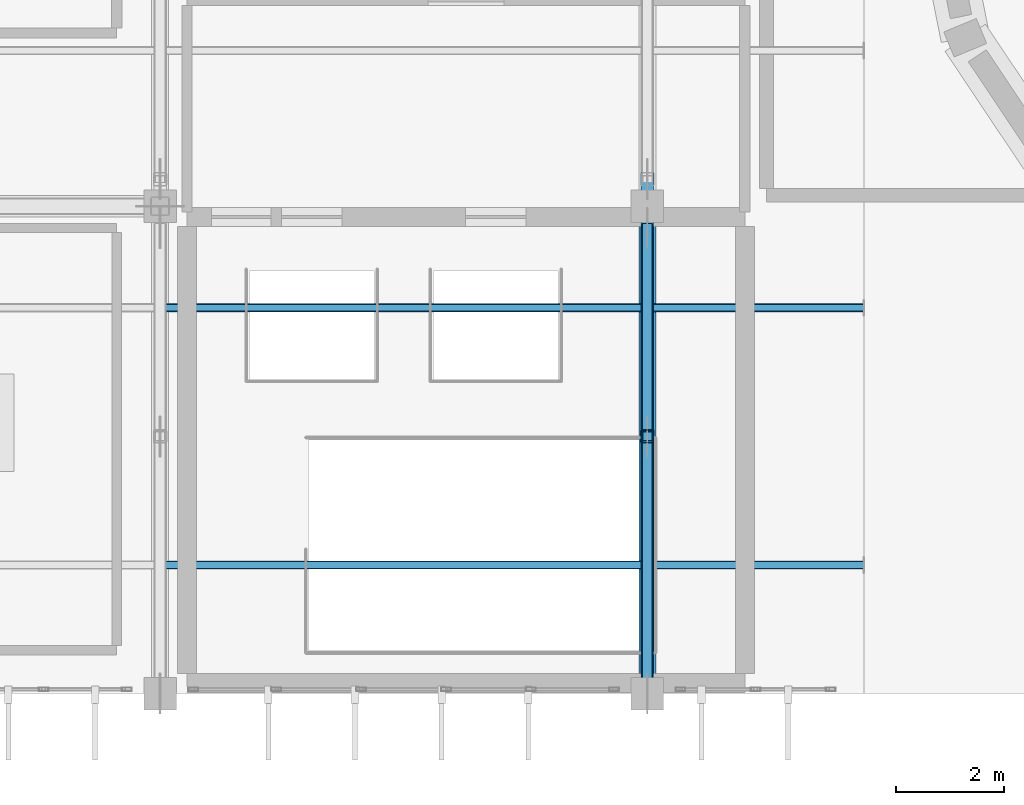
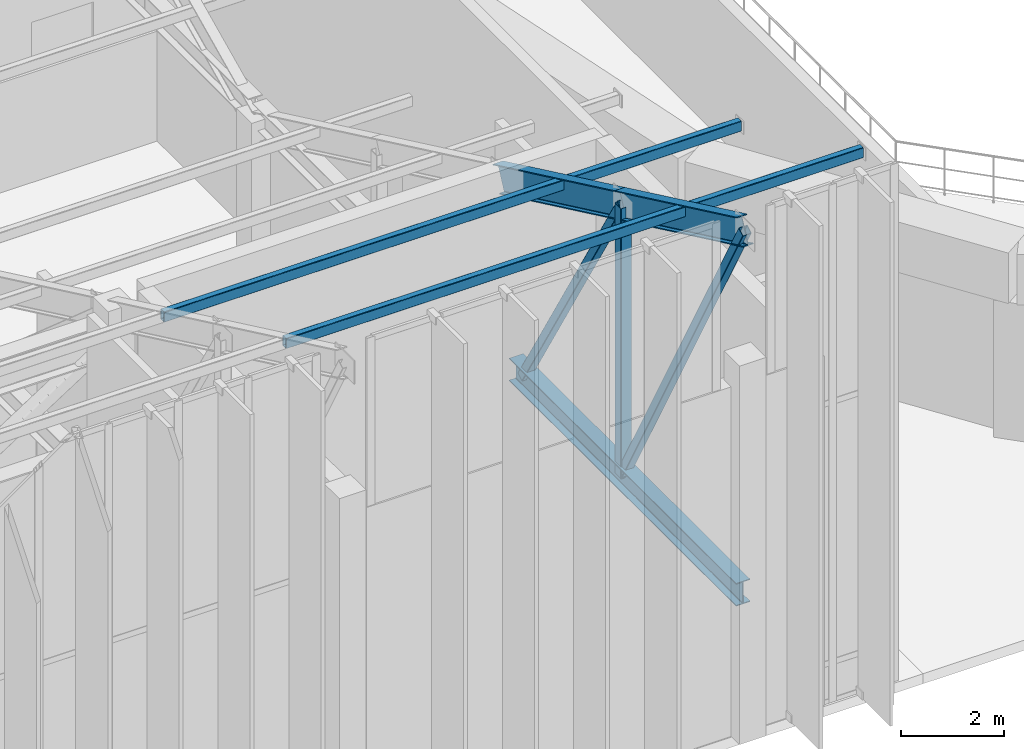
# One storey, part 24 of 68: 5 members, 3 beams.
"""IFC4 building model written with IfcOpenShell, lengths in metres."""

from ifc_helpers import new_model, si_unit, direction, frame, origin, origin_2d, place, context, subcontext, project, spatial, hollow_rectangle, i_section, extrude, material, material_profile, profile_set, type_object, element, save


model = new_model("IFC4")

# Units and contexts
model_context = context("Model", 3, precision=1e-05, world=origin(), true_north=direction((0.0, 1.0)))
body_context = subcontext(model_context, "Body", "Model", "MODEL_VIEW")
ifc_project = project(units=[si_unit("LENGTHUNIT", "METRE"), si_unit("AREAUNIT", "SQUARE_METRE"), si_unit("VOLUMEUNIT", "CUBIC_METRE"), si_unit("PLANEANGLEUNIT", "RADIAN"), si_unit("MASSUNIT", "GRAM", prefix="KILO")], contexts=[model_context])

# Site, building, storey
site_placement = place(None, origin())
site = spatial("IfcSite", under=ifc_project, at=site_placement, CompositionType="ELEMENT")
building_placement = place(site_placement, origin())
building = spatial("IfcBuilding", under=site, at=building_placement, Name="Miravela Opera House", CompositionType="ELEMENT")
storey_placement = place(building_placement, frame((0.0, 0.0, 21.760009765625)))
storey = spatial("IfcBuildingStorey", under=building, at=storey_placement, Name="L05", CompositionType="ELEMENT", Elevation=21.760009765625)

# Beams
ifc_material_1 = material(Name="Structural steel ASTM A992 Gr. 50", Category="steel")
ifc_material_profile_1 = material_profile(ifc_material_1, i_section(OverallWidth=0.31201171875, OverallDepth=0.54296875, WebThickness=0.0126953125, FlangeThickness=0.020263671875, FilletRadius=0.01611328125, at=origin_2d()), Name="W530X150")
ifc_profile_set_1 = profile_set([ifc_material_profile_1])
beam_type_1 = type_object("IfcBeamType", Name="STR-BM-W530X150", PredefinedType="BEAM", material=ifc_profile_set_1)
beam_placement = place(storey_placement, frame((54.0, 37.080078125, 3.280029296875), z_axis=(0.0, 1.0, 0.0), x_axis=(-1.0, 0.0, 0.0)))
element("IfcBeam", 1, at=beam_placement, inside=storey, type_object=beam_type_1, Name="V-Crest Roof Truss Bottom Tie Chord X=54 Seg 1", PredefinedType="BEAM", context=body_context, shape_type="SweptSolid", body=[
    extrude(i_section(OverallWidth=0.31201171875, OverallDepth=0.54296875, WebThickness=0.0126953125, FlangeThickness=0.020263671875, FilletRadius=0.01611328125, at=origin_2d()), origin(), (0.0, 0.0, 1.0), 8.83984375),
])
ifc_material_profile_2 = material_profile(ifc_material_1, i_section(OverallWidth=0.22998046875, OverallDepth=0.616943359375, WebThickness=0.01318359375, FlangeThickness=0.022216796875, FilletRadius=0.01806640625, at=origin_2d()), Name="W610X140")
ifc_profile_set_2 = profile_set([ifc_material_profile_2])
beam_type_2 = type_object("IfcBeamType", Name="STR-BM-W610X140", PredefinedType="BEAM", material=ifc_profile_set_2)
for number, where, z_axis, x_axis, name in (
    (2, (54.0, 37.0, 11.939453125), (0.0, 0.903737838894, -0.428086344739), (-1.0, 0.0, 0.0), "V-Crest Roof Rafter Girder X=54 Seg 1"),
    (3, (54.0, 41.75, 9.689453125), (0.0, 0.903737838894, -0.428086344739), (-1.0, 0.0, 0.0), "V-Crest Roof Rafter Girder X=54 Seg 2"),
):
    element("IfcBeam", number, at=place(storey_placement, frame(where, z_axis=z_axis, x_axis=x_axis)), inside=storey, type_object=beam_type_2, Name=name, PredefinedType="BEAM", context=body_context, shape_type="SweptSolid", body=[
        extrude(i_section(OverallWidth=0.22998046875, OverallDepth=0.616943359375, WebThickness=0.01318359375, FlangeThickness=0.022216796875, FilletRadius=0.01806640625, at=origin_2d()), origin(), (0.0, 0.0, 1.0), 5.255859375),
    ])

# Members
ifc_material_2 = material(Name="Hollow structural steel ASTM A500 Gr. C", Category="steel")
ifc_material_profile_3 = material_profile(ifc_material_2, hollow_rectangle(XDim=0.25, YDim=0.25, WallThickness=0.011962890625, InnerFilletRadius=0.011962890625, OuterFilletRadius=0.02392578125, at=origin_2d()), Name="HSS250X250X12")
ifc_profile_set_3 = profile_set([ifc_material_profile_3])
member_type_1 = type_object("IfcMemberType", Name="STR-MEM-CANT-POST2", PredefinedType="POST", material=ifc_profile_set_3)
member_1_placement = place(storey_placement, frame((54.0, 41.75, 3.280029296875), z_axis=(0.0, 0.0, 1.0), x_axis=(1.0, 0.0, 0.0)))
element("IfcMember", 4, at=member_1_placement, inside=storey, type_object=member_type_1, Name="V-Crest Roof Truss Panel Post X=54 Node 1", PredefinedType="POST", context=body_context, shape_type="SweptSolid", body=[
    extrude(hollow_rectangle(XDim=0.25, YDim=0.25, WallThickness=0.011962890625, InnerFilletRadius=0.011962890625, OuterFilletRadius=0.02392578125, at=origin_2d()), origin(), (0.0, 0.0, 1.0), 6.409912109375),
])
ifc_material_profile_4 = material_profile(ifc_material_2, hollow_rectangle(XDim=0.14990234375, YDim=0.25, WallThickness=0.011962890625, InnerFilletRadius=0.011962890625, OuterFilletRadius=0.02392578125, at=origin_2d()), Name="HSS250X150X12")
ifc_profile_set_4 = profile_set([ifc_material_profile_4])
member_type_2 = type_object("IfcMemberType", Name="STR-MEM-PURLIN-1", PredefinedType="PURLIN", material=ifc_profile_set_4)
for number, where, z_axis, x_axis, name in (
    (5, (45.010009765625, 39.375, 10.994873046875), (1.0, 0.0, 0.0), (0.0, 1.0, 0.0), "V-Roof Steel Purlin B1.4"),
    (6, (45.010009765625, 44.125, 8.744873046875), (1.0, 0.0, 0.0), (0.0, 1.0, 0.0), "V-Roof Steel Purlin B2.4"),
):
    element("IfcMember", number, at=place(storey_placement, frame(where, z_axis=z_axis, x_axis=x_axis)), inside=storey, type_object=member_type_2, Name=name, PredefinedType="PURLIN", context=body_context, shape_type="SweptSolid", body=[
        extrude(hollow_rectangle(XDim=0.14990234375, YDim=0.25, WallThickness=0.011962890625, InnerFilletRadius=0.011962890625, OuterFilletRadius=0.02392578125, at=origin_2d()), origin(), (0.0, 0.0, 1.0), 12.97998046875),
    ])
ifc_material_profile_5 = material_profile(ifc_material_2, hollow_rectangle(XDim=0.199951171875, YDim=0.199951171875, WallThickness=0.010009765625, InnerFilletRadius=0.010009765625, OuterFilletRadius=0.02001953125, at=origin_2d()), Name="HSS200X200X10")
ifc_profile_set_5 = profile_set([ifc_material_profile_5])
member_type_3 = type_object("IfcMemberType", Name="STR-MEM-WEDGE-WEB", PredefinedType="BRACE", material=ifc_profile_set_5)
member_2_placement = place(storey_placement, frame((54.0, 41.75, 3.280029296875), z_axis=(0.0, -0.480911686794, 0.876769040001), x_axis=(1.0, 0.0, 0.0)))
element("IfcMember", 7, at=member_2_placement, inside=storey, type_object=member_type_3, Name="V-Crest Roof Truss Web Diagonal X=54 Bay 1", PredefinedType="BRACE", context=body_context, shape_type="SweptSolid", body=[
    extrude(hollow_rectangle(XDim=0.199951171875, YDim=0.199951171875, WallThickness=0.010009765625, InnerFilletRadius=0.010009765625, OuterFilletRadius=0.02001953125, at=origin_2d()), origin(), (0.0, 0.0, 1.0), 9.876953125),
])
member_3_placement = place(storey_placement, frame((54.0, 45.60009765625, 3.280029296875), z_axis=(0.0, -0.514903832718, 0.857247947243), x_axis=(1.0, 0.0, 0.0)))
element("IfcMember", 8, at=member_3_placement, inside=storey, type_object=member_type_3, Name="V-Crest Roof Truss Web Diagonal X=54 Bay 2", PredefinedType="BRACE", context=body_context, shape_type="SweptSolid", body=[
    extrude(hollow_rectangle(XDim=0.199951171875, YDim=0.199951171875, WallThickness=0.010009765625, InnerFilletRadius=0.010009765625, OuterFilletRadius=0.02001953125, at=origin_2d()), origin(), (0.0, 0.0, 1.0), 7.477294921875),
])

save(model, "model.ifc")
